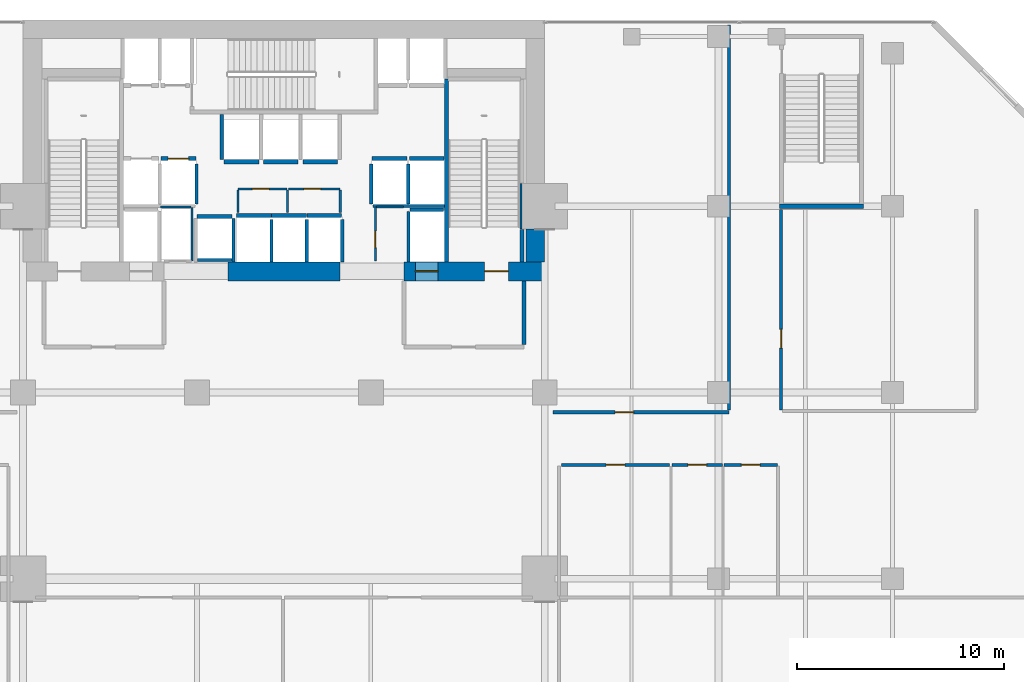
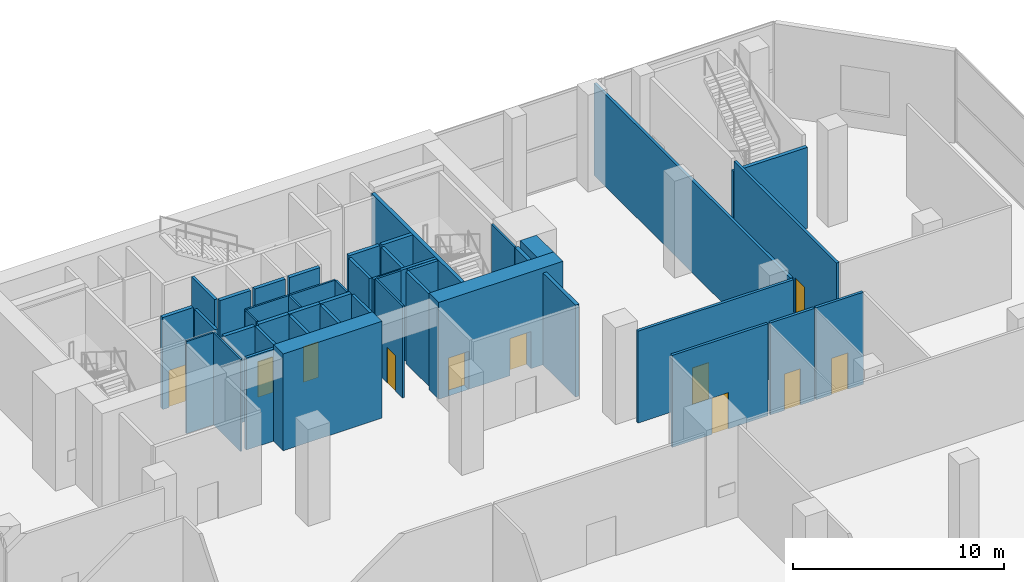
# One storey, part 36 of 40: 45 walls, 11 doors, 11 openings.
"""IFC4 building model written with IfcOpenShell, lengths in metres."""

from ifc_helpers import new_model, si_unit, direction, frame, frame_2d, origin, place, context, subcontext, project, spatial, rectangle, extrude, material, layer, layer_set, type_object, element, fill, save


model = new_model("IFC4")

# Units and contexts
model_context = context("Model", 3, precision=1e-05, world=origin(), true_north=direction((0.0, 1.0)))
body_context = subcontext(model_context, "Body", "Model", "MODEL_VIEW")
ifc_project = project(units=[si_unit("LENGTHUNIT", "METRE"), si_unit("AREAUNIT", "SQUARE_METRE"), si_unit("VOLUMEUNIT", "CUBIC_METRE"), si_unit("PLANEANGLEUNIT", "RADIAN"), si_unit("MASSUNIT", "GRAM", prefix="KILO")], contexts=[model_context])

# Site, building, storey
site_placement = place(None, origin())
site = spatial("IfcSite", under=ifc_project, at=site_placement, CompositionType="ELEMENT")
building_placement = place(site_placement, origin())
building = spatial("IfcBuilding", under=site, at=building_placement, Name="Maruvema Waterfront Hotel and Observation Tower", CompositionType="ELEMENT")
storey_placement = place(building_placement, frame((0.0, 0.0, 10.85009765625)))
storey = spatial("IfcBuildingStorey", under=building, at=storey_placement, Name="L02", CompositionType="ELEMENT", Elevation=10.85009765625)

# Wall, opening, door
ifc_material_1 = material(Name="Twin-stud acoustic gypsum drywall", Category="gypsum")
ifc_layer_1 = layer(ifc_material_1, 0.14990234375, Name="Acoustic Corridor and Suite Demising Wall 150 mm")
ifc_layer_set_1 = layer_set([ifc_layer_1], Name="Twin-stud acoustic gypsum drywall")
wall_type_1 = type_object("IfcWallType", Name="Acoustic Corridor and Suite Demising Wall 150 mm", PredefinedType="PARTITIONING", material=ifc_layer_set_1)
wall_1_placement = place(storey_placement, frame((51.199951171875, 32.5, 0.0), z_axis=(0.0, 0.0, 1.0), x_axis=(1.0, 0.0, 0.0)))
wall_1 = element("IfcWall", 1, at=wall_1_placement, inside=storey, type_object=wall_type_1, Name="L02 L02 Toilet Wall 029", PredefinedType="PARTITIONING", context=body_context, shape_type="SweptSolid", body=[
    extrude(rectangle(XDim=5.239990234375, YDim=0.14990234375, at=frame_2d((2.6201171875, 0.0))), origin(), (0.0, 0.0, 1.0), 5.31982421875),
])
opening_1_placement = place(wall_1_placement, frame((2.169921875, 0.0, 0.0)))
opening_1 = element("IfcOpeningElement", 2, at=opening_1_placement, cuts=wall_1, Name="Opening DR-090", PredefinedType="OPENING", context=body_context, shape_type="SweptSolid", body=[
    extrude(rectangle(XDim=0.89990234375, YDim=2.10009765625, at=frame_2d((0.449951171875, 1.050048828125))), frame((0.0, 0.0849609375, 0.0), z_axis=(0.0, -1.0, 0.0), x_axis=(1.0, 0.0, 0.0)), (0.0, 0.0, 1.0), 0.169921875),
])
ifc_material_2 = material(Name="Solid-core lacquered timber leaf", Category="wood")
door_type_1 = type_object("IfcDoorType", Name="Accessible Toilet and Room Door 900x2100 mm", OperationType="NOTDEFINED", PredefinedType="DOOR", material=ifc_material_2)
door_1_placement = place(opening_1_placement, origin())
door_1 = element("IfcDoor", 3, at=door_1_placement, inside=storey, type_object=door_type_1, Name="L02 Public Toilet Door", OperationType="SINGLE_SWING_LEFT", OverallHeight=2.10009765625, OverallWidth=0.89990234375, PredefinedType="DOOR", context=body_context, shape_type="SweptSolid", body=[
    extrude(rectangle(XDim=0.89990234375, YDim=2.10009765625, at=frame_2d((0.449951171875, 1.050048828125))), frame((0.0, 0.02490234375, 0.0), z_axis=(0.0, -1.0, 0.0), x_axis=(1.0, 0.0, 0.0)), (0.0, 0.0, 1.0), 0.050048828125),
])
fill(opening_1, door_1)

wall_2_placement = place(storey_placement, frame((56.56005859375, 32.5, 0.0), z_axis=(0.0, 0.0, 1.0), x_axis=(1.0, 0.0, 0.0)))
wall_2 = element("IfcWall", 4, at=wall_2_placement, inside=storey, type_object=wall_type_1, Name="L02 L02 Acc WC Wall 030", PredefinedType="PARTITIONING", context=body_context, shape_type="SweptSolid", body=[
    extrude(rectangle(XDim=2.419921875, YDim=0.14990234375, at=frame_2d((1.2099609375, 0.0))), origin(), (0.0, 0.0, 1.0), 5.31982421875),
])
opening_2_placement = place(wall_2_placement, frame((0.760009765625, 0.0, 0.0)))
opening_2 = element("IfcOpeningElement", 5, at=opening_2_placement, cuts=wall_2, Name="Opening DR-090", PredefinedType="OPENING", context=body_context, shape_type="SweptSolid", body=[
    extrude(rectangle(XDim=0.89990234375, YDim=2.10009765625, at=frame_2d((0.449951171875, 1.050048828125))), frame((0.0, 0.0849609375, 0.0), z_axis=(0.0, -1.0, 0.0), x_axis=(1.0, 0.0, 0.0)), (0.0, 0.0, 1.0), 0.169921875),
])
door_2_placement = place(opening_2_placement, origin())
door_2 = element("IfcDoor", 6, at=door_2_placement, inside=storey, type_object=door_type_1, Name="L02 Accessible WC Door", OperationType="SINGLE_SWING_RIGHT", OverallHeight=2.10009765625, OverallWidth=0.89990234375, PredefinedType="DOOR", context=body_context, shape_type="SweptSolid", body=[
    extrude(rectangle(XDim=0.89990234375, YDim=2.10009765625, at=frame_2d((0.449951171875, 1.050048828125))), frame((0.0, 0.02490234375, 0.0), z_axis=(0.0, -1.0, 0.0), x_axis=(1.0, 0.0, 0.0)), (0.0, 0.0, 1.0), 0.050048828125),
])
fill(opening_2, door_2)

wall_3_placement = place(storey_placement, frame((59.06005859375, 32.5, 0.0), z_axis=(0.0, 0.0, 1.0), x_axis=(1.0, 0.0, 0.0)))
wall_3 = element("IfcWall", 7, at=wall_3_placement, inside=storey, type_object=wall_type_1, Name="L02 L02 Linen Store Wall 031", PredefinedType="PARTITIONING", context=body_context, shape_type="SweptSolid", body=[
    extrude(rectangle(XDim=2.58984375, YDim=0.14990234375, at=frame_2d((1.294921875, 0.0))), origin(), (0.0, 0.0, 1.0), 5.31982421875),
])
opening_3_placement = place(wall_3_placement, frame((0.844970703125, 0.0, 0.0)))
opening_3 = element("IfcOpeningElement", 8, at=opening_3_placement, cuts=wall_3, Name="Opening DR-090", PredefinedType="OPENING", context=body_context, shape_type="SweptSolid", body=[
    extrude(rectangle(XDim=0.89990234375, YDim=2.10009765625, at=frame_2d((0.449951171875, 1.050048828125))), frame((0.0, 0.0849609375, 0.0), z_axis=(0.0, -1.0, 0.0), x_axis=(1.0, 0.0, 0.0)), (0.0, 0.0, 1.0), 0.169921875),
])
door_3_placement = place(opening_3_placement, origin())
door_3 = element("IfcDoor", 9, at=door_3_placement, inside=storey, type_object=door_type_1, Name="L02 Podium Linen Store Door", OperationType="SINGLE_SWING_LEFT", OverallHeight=2.10009765625, OverallWidth=0.89990234375, PredefinedType="DOOR", context=body_context, shape_type="SweptSolid", body=[
    extrude(rectangle(XDim=0.89990234375, YDim=2.10009765625, at=frame_2d((0.449951171875, 1.050048828125))), frame((0.0, 0.02490234375, 0.0), z_axis=(0.0, -1.0, 0.0), x_axis=(1.0, 0.0, 0.0)), (0.0, 0.0, 1.0), 0.050048828125),
])
fill(opening_3, door_3)

wall_4_placement = place(storey_placement, frame((50.800048828125, 35.050048828125, 0.0), z_axis=(0.0, 0.0, 1.0), x_axis=(1.0, 0.0, 0.0)))
wall_4 = element("IfcWall", 10, at=wall_4_placement, inside=storey, type_object=wall_type_1, Name="L02 L02 Lounge South Wall 038", PredefinedType="PARTITIONING", context=body_context, shape_type="SweptSolid", body=[
    extrude(rectangle(XDim=8.5, YDim=0.14990234375, at=frame_2d((4.25, 0.0))), origin(), (0.0, 0.0, 1.0), 5.31982421875),
])
opening_4_placement = place(wall_4_placement, frame((3.0, 0.0, 0.0)))
opening_4 = element("IfcOpeningElement", 11, at=opening_4_placement, cuts=wall_4, Name="Opening DR-090", PredefinedType="OPENING", context=body_context, shape_type="SweptSolid", body=[
    extrude(rectangle(XDim=0.89990234375, YDim=2.10009765625, at=frame_2d((0.449951171875, 1.050048828125))), frame((0.0, 0.0849609375, 0.0), z_axis=(0.0, -1.0, 0.0), x_axis=(1.0, 0.0, 0.0)), (0.0, 0.0, 1.0), 0.169921875),
])
door_4_placement = place(opening_4_placement, frame((0.89990234375, 0.0, 0.0), z_axis=(0.0, 0.0, 1.0), x_axis=(-1.0, 0.0, 0.0)))
door_4 = element("IfcDoor", 12, at=door_4_placement, inside=storey, type_object=door_type_1, Name="L02 Business Lounge Door", OperationType="SINGLE_SWING_RIGHT", OverallHeight=2.10009765625, OverallWidth=0.89990234375, PredefinedType="DOOR", context=body_context, shape_type="SweptSolid", body=[
    extrude(rectangle(XDim=0.89990234375, YDim=2.10009765625, at=frame_2d((0.449951171875, 1.050048828125))), frame((0.0, 0.02490234375, 0.0), z_axis=(0.0, -1.0, 0.0), x_axis=(1.0, 0.0, 0.0)), (0.0, 0.0, 1.0), 0.050048828125),
])
fill(opening_4, door_4)

# Wall
wall_5_placement = place(storey_placement, frame((59.300048828125, 35.14990234375, 0.0), z_axis=(0.0, 0.0, 1.0), x_axis=(0.0, 1.0, 0.0)))
element("IfcWall", 13, at=wall_5_placement, inside=storey, type_object=wall_type_1, Name="L02 L02 Lounge East Wall 039", PredefinedType="PARTITIONING", context=body_context, shape_type="SweptSolid", body=[
    extrude(rectangle(XDim=18.60009765625, YDim=0.14990234375, at=frame_2d((9.300048828125, 0.0))), origin(), (0.0, 0.0, 1.0), 5.31982421875),
])

# Wall, opening, door
wall_6_placement = place(storey_placement, frame((61.820068359375, 35.14990234375, 0.0), z_axis=(0.0, 0.0, 1.0), x_axis=(0.0, 1.0, 0.0)))
wall_6 = element("IfcWall", 14, at=wall_6_placement, inside=storey, type_object=wall_type_1, Name="L02 L02 AV Store Wall 040", PredefinedType="PARTITIONING", context=body_context, shape_type="SweptSolid", body=[
    extrude(rectangle(XDim=9.7001953125, YDim=0.14990234375, at=frame_2d((4.85009765625, 0.0))), origin(), (0.0, 0.0, 1.0), 5.31982421875),
])
opening_5_placement = place(wall_6_placement, frame((3.0, 0.0, 0.0)))
opening_5 = element("IfcOpeningElement", 15, at=opening_5_placement, cuts=wall_6, Name="Opening DR-090", PredefinedType="OPENING", context=body_context, shape_type="SweptSolid", body=[
    extrude(rectangle(XDim=0.89990234375, YDim=2.10009765625, at=frame_2d((0.449951171875, 1.050048828125))), frame((0.0, 0.0849609375, 0.0), z_axis=(0.0, -1.0, 0.0), x_axis=(1.0, 0.0, 0.0)), (0.0, 0.0, 1.0), 0.169921875),
])
door_5_placement = place(opening_5_placement, frame((0.89990234375, 0.0, 0.0), z_axis=(0.0, 0.0, 1.0), x_axis=(-1.0, 0.0, 0.0)))
door_5 = element("IfcDoor", 16, at=door_5_placement, inside=storey, type_object=door_type_1, Name="L02 AV Store Door", OperationType="SINGLE_SWING_LEFT", OverallHeight=2.10009765625, OverallWidth=0.89990234375, PredefinedType="DOOR", context=body_context, shape_type="SweptSolid", body=[
    extrude(rectangle(XDim=0.89990234375, YDim=2.10009765625, at=frame_2d((0.449951171875, 1.050048828125))), frame((0.0, 0.02490234375, 0.0), z_axis=(0.0, -1.0, 0.0), x_axis=(1.0, 0.0, 0.0)), (0.0, 0.0, 1.0), 0.050048828125),
])
fill(opening_5, door_5)

# Walls
ifc_material_3 = material(Name="Precast concrete C45/55", Category="concrete")
ifc_layer_2 = layer(ifc_material_3, 0.199951171875, Name="Core Shaft and Stairwell Enclosure Wall 200 mm")
ifc_layer_set_2 = layer_set([ifc_layer_2], Name="Precast concrete C45/55")
wall_type_2 = type_object("IfcWallType", Name="Core Shaft and Stairwell Enclosure Wall 200 mm", PredefinedType="SOLIDWALL", material=ifc_layer_set_2)
wall_7_placement = place(storey_placement, frame((45.64990234375, 42.300048828125, 0.0), z_axis=(0.0, 0.0, 1.0), x_axis=(0.0, 1.0, 0.0)))
element("IfcWall", 17, at=wall_7_placement, inside=storey, type_object=wall_type_2, Name="L02 Stairwell ST-03 West Shaft Wall", PredefinedType="SOLIDWALL", context=body_context, shape_type="SweptSolid", body=[
    extrude(rectangle(XDim=8.849853515625, YDim=0.199951171875, at=frame_2d((4.4248046875, 0.0))), origin(), (0.0, 0.0, 1.0), 5.31982421875),
])
wall_8_placement = place(storey_placement, frame((49.300048828125, 42.300048828125, 0.0), z_axis=(0.0, 0.0, 1.0), x_axis=(0.0, 1.0, 0.0)))
element("IfcWall", 18, at=wall_8_placement, inside=storey, type_object=wall_type_2, Name="L02 Stairwell ST-03 Shaft Lining Wall", PredefinedType="SOLIDWALL", context=body_context, shape_type="SweptSolid", body=[
    extrude(rectangle(XDim=1.579833984375, YDim=0.199951171875, at=frame_2d((0.7900390625, 0.0))), origin(), (0.0, 0.0, 1.0), 5.31982421875),
])
wall_9_placement = place(storey_placement, frame((61.75, 45.0, 0.0), z_axis=(0.0, 0.0, 1.0), x_axis=(1.0, 0.0, 0.0)))
element("IfcWall", 19, at=wall_9_placement, inside=storey, type_object=wall_type_2, Name="L02 Stairwell ST-05 Shaft Wall", PredefinedType="SOLIDWALL", context=body_context, shape_type="SweptSolid", body=[
    extrude(rectangle(XDim=4.050048828125, YDim=0.199951171875, at=frame_2d((2.02490234375, 0.0))), origin(), (0.0, 0.0, 1.0), 4.684814453125),
])

# Wall, opening, door
wall_10_placement = place(storey_placement, frame((31.860107421875, 47.300048828125, 0.0), z_axis=(0.0, 0.0, 1.0), x_axis=(1.0, 0.0, 0.0)))
wall_10 = element("IfcWall", 20, at=wall_10_placement, inside=storey, type_object=wall_type_2, Name="L02 Lift LF-02 Hoistway Front Wall", PredefinedType="SOLIDWALL", context=body_context, shape_type="SweptSolid", body=[
    extrude(rectangle(XDim=1.679931640625, YDim=0.199951171875, at=frame_2d((0.83984375, 0.0))), origin(), (0.0, 0.0, 1.0), 5.31982421875),
])
opening_6_placement = place(wall_10_placement, frame((0.340087890625, 0.0, 0.0)))
opening_6 = element("IfcOpeningElement", 21, at=opening_6_placement, cuts=wall_10, Name="Opening LD-01", PredefinedType="OPENING", context=body_context, shape_type="SweptSolid", body=[
    extrude(rectangle(XDim=1.0, YDim=2.14990234375, at=frame_2d((0.5, 1.074951171875))), frame((0.0, 0.10986328125, 0.0), z_axis=(0.0, -1.0, 0.0), x_axis=(1.0, 0.0, 0.0)), (0.0, 0.0, 1.0), 0.219970703125),
])
ifc_material_4 = material(Name="Brushed stainless steel Grade 316", Category="steel")
door_type_2 = type_object("IfcDoorType", Name="Passenger Lift Sliding Landing Door 1000x2150 mm", OperationType="SLIDING_TO_LEFT", PredefinedType="DOOR", material=ifc_material_4)
door_6_placement = place(opening_6_placement, origin())
door_6 = element("IfcDoor", 22, at=door_6_placement, inside=storey, type_object=door_type_2, Name="L02 Lift LF-02 Sliding Landing Door", OperationType="SLIDING_TO_LEFT", OverallHeight=2.14990234375, OverallWidth=1.0, PredefinedType="DOOR", context=body_context, shape_type="SweptSolid", body=[
    extrude(rectangle(XDim=1.0, YDim=2.14990234375, at=frame_2d((0.5, 1.074951171875))), frame((0.0, 0.02490234375, 0.0), z_axis=(0.0, -1.0, 0.0), x_axis=(1.0, 0.0, 0.0)), (0.0, 0.0, 1.0), 0.050048828125),
])
fill(opening_6, door_6)

# Walls
for number, where, z_axis, x_axis, name in (
    (23, (42.06005859375, 47.300048828125, 0.0), (0.0, 0.0, 1.0), (1.0, 0.0, 0.0), "L02 Lift LF-05 Hoistway Front Wall"),
    (24, (43.860107421875, 47.300048828125, 0.0), (0.0, 0.0, 1.0), (1.0, 0.0, 0.0), "L02 Lift LF-06 Hoistway Front Wall"),
    (25, (35.510009765625, 44.550048828125, 0.0), (0.0, 0.0, 1.0), (1.0, 0.0, 0.0), "L02 Lift LF-09 Hoistway Front Wall"),
    (26, (37.2099609375, 44.550048828125, 0.0), (0.0, 0.0, 1.0), (1.0, 0.0, 0.0), "L02 Lift LF-10 Hoistway Front Wall"),
):
    element("IfcWall", number, at=place(storey_placement, frame(where, z_axis=z_axis, x_axis=x_axis)), inside=storey, type_object=wall_type_2, Name=name, PredefinedType="SOLIDWALL", context=body_context, shape_type="SweptSolid", body=[
        extrude(rectangle(XDim=1.679931640625, YDim=0.199951171875, at=frame_2d((0.83984375, 0.0))), origin(), (0.0, 0.0, 1.0), 5.31982421875),
    ])
for number, where, z_axis, x_axis, name in (
    (27, (38.909912109375, 44.550048828125, 0.0), (0.0, 0.0, 1.0), (1.0, 0.0, 0.0), "L02 Lift LF-11 Hoistway Front Wall"),
    (28, (34.909912109375, 47.14990234375, 0.0), (0.0, 0.0, 1.0), (1.0, 0.0, 0.0), "L02 Lift LF-12 Hoistway Front Wall"),
):
    element("IfcWall", number, at=place(storey_placement, frame(where, z_axis=z_axis, x_axis=x_axis)), inside=storey, type_object=wall_type_2, Name=name, PredefinedType="SOLIDWALL", context=body_context, shape_type="SweptSolid", body=[
        extrude(rectangle(XDim=1.68017578125, YDim=0.199951171875, at=frame_2d((0.840087890625, 0.0))), origin(), (0.0, 0.0, 1.0), 5.31982421875),
    ])
for number, where, z_axis, x_axis, name in (
    (29, (36.81005859375, 47.14990234375, 0.0), (0.0, 0.0, 1.0), (1.0, 0.0, 0.0), "L02 Lift LF-13 Hoistway Front Wall"),
    (30, (38.7099609375, 47.14990234375, 0.0), (0.0, 0.0, 1.0), (1.0, 0.0, 0.0), "L02 Lift LF-14 Hoistway Front Wall"),
    (31, (33.610107421875, 44.5, 0.0), (0.0, 0.0, 1.0), (1.0, 0.0, 0.0), "L02 Lift LF-15 Hoistway Front Wall"),
):
    element("IfcWall", number, at=place(storey_placement, frame(where, z_axis=z_axis, x_axis=x_axis)), inside=storey, type_object=wall_type_2, Name=name, PredefinedType="SOLIDWALL", context=body_context, shape_type="SweptSolid", body=[
        extrude(rectangle(XDim=1.679931640625, YDim=0.199951171875, at=frame_2d((0.83984375, 0.0))), origin(), (0.0, 0.0, 1.0), 5.31982421875),
    ])
ifc_material_5 = material(Name="Concrete C80/95", Category="concrete")
ifc_layer_3 = layer(ifc_material_5, 0.89990234375, Name="Core Shear Wall 900 mm")
ifc_layer_set_3 = layer_set([ifc_layer_3], Name="Concrete C80/95")
wall_type_3 = type_object("IfcWallType", Name="Core Shear Wall 900 mm", PredefinedType="SHEAR", material=ifc_layer_set_3)
wall_11_placement = place(storey_placement, frame((35.10009765625, 41.85009765625, 0.0), z_axis=(0.0, 0.0, 1.0), x_axis=(1.0, 0.0, 0.0)))
element("IfcWall", 32, at=wall_11_placement, inside=storey, type_object=wall_type_3, Name="L02 South-Central Core Shear Wall", PredefinedType="SHEAR", context=body_context, shape_type="SweptSolid", body=[
    extrude(rectangle(XDim=5.39990234375, YDim=0.89990234375, at=frame_2d((2.699951171875, 0.0))), origin(), (0.0, 0.0, 1.0), 5.599853515625),
])

# Wall, openings, doors
wall_12_placement = place(storey_placement, frame((43.60009765625, 41.85009765625, 0.0), z_axis=(0.0, 0.0, 1.0), x_axis=(1.0, 0.0, 0.0)))
wall_12 = element("IfcWall", 33, at=wall_12_placement, inside=storey, type_object=wall_type_3, Name="L02 South-East Core Shear Wall", PredefinedType="SHEAR", context=body_context, shape_type="SweptSolid", body=[
    extrude(rectangle(XDim=6.7998046875, YDim=0.89990234375, at=frame_2d((3.39990234375, 0.0))), origin(), (0.0, 0.0, 1.0), 5.599853515625),
])
opening_7_placement = place(wall_12_placement, frame((3.89990234375, 0.0, 0.0)))
opening_7 = element("IfcOpeningElement", 34, at=opening_7_placement, cuts=wall_12, Name="Opening SD-01", PredefinedType="OPENING", context=body_context, shape_type="SweptSolid", body=[
    extrude(rectangle(XDim=1.14990234375, YDim=2.14990234375, at=frame_2d((0.574951171875, 1.074951171875))), frame((0.0, 0.4599609375, 0.0), z_axis=(0.0, -1.0, 0.0), x_axis=(1.0, 0.0, 0.0)), (0.0, 0.0, 1.0), 0.919921875),
])
opening_8_placement = place(wall_12_placement, frame((0.550048828125, 0.0, 0.0)))
opening_8 = element("IfcOpeningElement", 35, at=opening_8_placement, cuts=wall_12, Name="Opening LD-03", PredefinedType="OPENING", context=body_context, shape_type="SweptSolid", body=[
    extrude(rectangle(XDim=1.10009765625, YDim=2.199951171875, at=frame_2d((0.550048828125, 1.10009765625))), frame((0.0, 0.4599609375, 0.0), z_axis=(0.0, -1.0, 0.0), x_axis=(1.0, 0.0, 0.0)), (0.0, 0.0, 1.0), 0.919921875),
])
ifc_material_6 = material(Name="Fire-rated galvanised steel leaf", Category="steel")
door_type_3 = type_object("IfcDoorType", Name="Exit Stair Fire Door 1150x2150 mm", OperationType="NOTDEFINED", PredefinedType="DOOR", material=ifc_material_6)
door_7_placement = place(opening_7_placement, origin())
door_7 = element("IfcDoor", 36, at=door_7_placement, inside=storey, type_object=door_type_3, Name="L02 Exit Stair ST-03 Fire Door", OperationType="SINGLE_SWING_RIGHT", OverallHeight=2.14990234375, OverallWidth=1.14990234375, PredefinedType="DOOR", context=body_context, shape_type="SweptSolid", body=[
    extrude(rectangle(XDim=1.14990234375, YDim=2.14990234375, at=frame_2d((0.574951171875, 1.074951171875))), frame((0.0, 0.02490234375, 0.0), z_axis=(0.0, -1.0, 0.0), x_axis=(1.0, 0.0, 0.0)), (0.0, 0.0, 1.0), 0.050048828125),
])
fill(opening_7, door_7)
ifc_material_7 = material(Name="Brushed stainless steel Grade 316", Category="steel")
door_type_4 = type_object("IfcDoorType", Name="Firefighting Lift Sliding Landing Door 1100x2200 mm", OperationType="SLIDING_TO_LEFT", PredefinedType="DOOR", material=ifc_material_7)
door_8_placement = place(opening_8_placement, frame((1.10009765625, 0.0, 0.0), z_axis=(0.0, 0.0, 1.0), x_axis=(-1.0, 0.0, 0.0)))
door_8 = element("IfcDoor", 37, at=door_8_placement, inside=storey, type_object=door_type_4, Name="L02 Firefighting Lift FL-02 Landing Door", OperationType="SLIDING_TO_LEFT", OverallHeight=2.199951171875, OverallWidth=1.10009765625, PredefinedType="DOOR", context=body_context, shape_type="SweptSolid", body=[
    extrude(rectangle(XDim=1.10009765625, YDim=2.199951171875, at=frame_2d((0.550048828125, 1.10009765625))), frame((0.0, 0.02490234375, 0.0), z_axis=(0.0, -1.0, 0.0), x_axis=(1.0, 0.0, 0.0)), (0.0, 0.0, 1.0), 0.050048828125),
])
fill(opening_8, door_8)

# Walls
wall_13_placement = place(storey_placement, frame((49.949951171875, 42.300048828125, 0.0), z_axis=(0.0, 0.0, 1.0), x_axis=(0.0, 1.0, 0.0)))
element("IfcWall", 38, at=wall_13_placement, inside=storey, type_object=wall_type_3, Name="L02 East-South Core Shear Wall", PredefinedType="SHEAR", context=body_context, shape_type="SweptSolid", body=[
    extrude(rectangle(XDim=1.599853515625, YDim=0.89990234375, at=frame_2d((0.7998046875, 0.0))), origin(), (0.0, 0.0, 1.0), 5.599853515625),
])
ifc_material_8 = material(Name="Moisture-resistant cement-board drywall", Category="gypsum")
ifc_layer_4 = layer(ifc_material_8, 0.10009765625, Name="En-Suite Moisture-Resistant Partition 100 mm")
ifc_layer_set_4 = layer_set([ifc_layer_4], Name="Moisture-resistant cement-board drywall")
wall_type_4 = type_object("IfcWallType", Name="En-Suite Moisture-Resistant Partition 100 mm", PredefinedType="PARTITIONING", material=ifc_layer_set_4)
wall_14_placement = place(storey_placement, frame((31.840087890625, 44.9599609375, 0.0), z_axis=(0.0, 0.0, 1.0), x_axis=(1.0, 0.0, 0.0)))
element("IfcWall", 39, at=wall_14_placement, inside=storey, type_object=wall_type_4, Name="L02 Telecom Riser North Wall 008", PredefinedType="PARTITIONING", context=body_context, shape_type="SweptSolid", body=[
    extrude(rectangle(XDim=1.47998046875, YDim=0.10009765625, at=frame_2d((0.739990234375, 0.0))), origin(), (0.0, 0.0, 1.0), 5.31982421875),
])
wall_15_placement = place(storey_placement, frame((33.360107421875, 42.360107421875, 0.0), z_axis=(0.0, 0.0, 1.0), x_axis=(0.0, 1.0, 0.0)))
element("IfcWall", 40, at=wall_15_placement, inside=storey, type_object=wall_type_4, Name="L02 Telecom Riser East Wall 009", PredefinedType="PARTITIONING", context=body_context, shape_type="SweptSolid", body=[
    extrude(rectangle(XDim=2.579833984375, YDim=0.10009765625, at=frame_2d((1.2900390625, 0.0))), origin(), (0.0, 0.0, 1.0), 5.31982421875),
])

# Wall, opening, door
wall_16_placement = place(storey_placement, frame((35.580078125, 45.840087890625, 0.0), z_axis=(0.0, 0.0, 1.0), x_axis=(1.0, 0.0, 0.0)))
wall_16 = element("IfcWall", 41, at=wall_16_placement, inside=storey, type_object=wall_type_4, Name="L02 Core Closet K2A North 010", PredefinedType="PARTITIONING", context=body_context, shape_type="SweptSolid", body=[
    extrude(rectangle(XDim=2.35986328125, YDim=0.10009765625, at=frame_2d((1.179931640625, 0.0))), origin(), (0.0, 0.0, 1.0), 5.31982421875),
])
opening_9_placement = place(wall_16_placement, frame((0.699951171875, 0.0, 0.0)))
opening_9 = element("IfcOpeningElement", 42, at=opening_9_placement, cuts=wall_16, Name="Opening DR-080", PredefinedType="OPENING", context=body_context, shape_type="SweptSolid", body=[
    extrude(rectangle(XDim=0.800048828125, YDim=2.050048828125, at=frame_2d((0.39990234375, 1.02490234375))), frame((0.0, 0.06005859375, 0.0), z_axis=(0.0, -1.0, 0.0), x_axis=(1.0, 0.0, 0.0)), (0.0, 0.0, 1.0), 0.1201171875),
])
ifc_material_9 = material(Name="Powder-coated steel access leaf", Category="steel")
door_type_5 = type_object("IfcDoorType", Name="Riser and Service Cupboard Door 800x2050 mm", OperationType="NOTDEFINED", PredefinedType="DOOR", material=ifc_material_9)
door_9_placement = place(opening_9_placement, origin())
door_9 = element("IfcDoor", 43, at=door_9_placement, inside=storey, type_object=door_type_5, Name="L02 Core IT Closet Door", OperationType="SINGLE_SWING_LEFT", OverallHeight=2.050048828125, OverallWidth=0.800048828125, PredefinedType="DOOR", context=body_context, shape_type="SweptSolid", body=[
    extrude(rectangle(XDim=0.800048828125, YDim=2.050048828125, at=frame_2d((0.39990234375, 1.02490234375))), frame((0.0, 0.02490234375, 0.0), z_axis=(0.0, -1.0, 0.0), x_axis=(1.0, 0.0, 0.0)), (0.0, 0.0, 1.0), 0.050048828125),
])
fill(opening_9, door_9)

wall_17_placement = place(storey_placement, frame((38.02001953125, 45.840087890625, 0.0), z_axis=(0.0, 0.0, 1.0), x_axis=(1.0, 0.0, 0.0)))
wall_17 = element("IfcWall", 44, at=wall_17_placement, inside=storey, type_object=wall_type_4, Name="L02 Core Closet K2B North 011", PredefinedType="PARTITIONING", context=body_context, shape_type="SweptSolid", body=[
    extrude(rectangle(XDim=2.5, YDim=0.10009765625, at=frame_2d((1.25, 0.0))), origin(), (0.0, 0.0, 1.0), 5.31982421875),
])
opening_10_placement = place(wall_17_placement, frame((0.75, 0.0, 0.0)))
opening_10 = element("IfcOpeningElement", 45, at=opening_10_placement, cuts=wall_17, Name="Opening DR-080", PredefinedType="OPENING", context=body_context, shape_type="SweptSolid", body=[
    extrude(rectangle(XDim=0.800048828125, YDim=2.050048828125, at=frame_2d((0.39990234375, 1.02490234375))), frame((0.0, 0.06005859375, 0.0), z_axis=(0.0, -1.0, 0.0), x_axis=(1.0, 0.0, 0.0)), (0.0, 0.0, 1.0), 0.1201171875),
])
door_10_placement = place(opening_10_placement, origin())
door_10 = element("IfcDoor", 46, at=door_10_placement, inside=storey, type_object=door_type_5, Name="L02 Core Linen Cupboard Door", OperationType="SINGLE_SWING_RIGHT", OverallHeight=2.050048828125, OverallWidth=0.800048828125, PredefinedType="DOOR", context=body_context, shape_type="SweptSolid", body=[
    extrude(rectangle(XDim=0.800048828125, YDim=2.050048828125, at=frame_2d((0.39990234375, 1.02490234375))), frame((0.0, 0.02490234375, 0.0), z_axis=(0.0, -1.0, 0.0), x_axis=(1.0, 0.0, 0.0)), (0.0, 0.0, 1.0), 0.050048828125),
])
fill(opening_10, door_10)

# Walls
for number, where, z_axis, x_axis, name in (
    (47, (35.580078125, 44.699951171875, 0.0), (0.0, 0.0, 1.0), (0.0, 1.0, 0.0), "L02 Core Closet K2 West 012"),
    (48, (37.97998046875, 44.699951171875, 0.0), (0.0, 0.0, 1.0), (0.0, 1.0, 0.0), "L02 Core Closet K2 Mid 013"),
    (49, (40.52001953125, 44.699951171875, 0.0), (0.0, 0.0, 1.0), (0.0, 1.0, 0.0), "L02 Core Closet K2 East 014"),
):
    element("IfcWall", number, at=place(storey_placement, frame(where, z_axis=z_axis, x_axis=x_axis)), inside=storey, type_object=wall_type_4, Name=name, PredefinedType="PARTITIONING", context=body_context, shape_type="SweptSolid", body=[
        extrude(rectangle(XDim=1.080078125, YDim=0.10009765625, at=frame_2d((0.5400390625, 0.0))), origin(), (0.0, 0.0, 1.0), 5.31982421875),
    ])

# Wall, opening, door
wall_18_placement = place(storey_placement, frame((42.219970703125, 42.35009765625, 0.0), z_axis=(0.0, 0.0, 1.0), x_axis=(0.0, 1.0, 0.0)))
wall_18 = element("IfcWall", 50, at=wall_18_placement, inside=storey, type_object=wall_type_4, Name="L02 Core Closet K2C West 015", PredefinedType="PARTITIONING", context=body_context, shape_type="SweptSolid", body=[
    extrude(rectangle(XDim=2.60986328125, YDim=0.10009765625, at=frame_2d((1.304931640625, 0.0))), origin(), (0.0, 0.0, 1.0), 5.31982421875),
])
opening_11_placement = place(wall_18_placement, frame((0.64990234375, 0.0, 0.0)))
opening_11 = element("IfcOpeningElement", 51, at=opening_11_placement, cuts=wall_18, Name="Opening DR-080", PredefinedType="OPENING", context=body_context, shape_type="SweptSolid", body=[
    extrude(rectangle(XDim=0.800048828125, YDim=2.050048828125, at=frame_2d((0.39990234375, 1.02490234375))), frame((0.0, 0.06005859375, 0.0), z_axis=(0.0, -1.0, 0.0), x_axis=(1.0, 0.0, 0.0)), (0.0, 0.0, 1.0), 0.1201171875),
])
door_11_placement = place(opening_11_placement, frame((0.800048828125, 0.0, 0.0), z_axis=(0.0, 0.0, 1.0), x_axis=(-1.0, 0.0, 0.0)))
door_11 = element("IfcDoor", 52, at=door_11_placement, inside=storey, type_object=door_type_5, Name="L02 Core Housekeeping Closet Door", OperationType="SINGLE_SWING_LEFT", OverallHeight=2.050048828125, OverallWidth=0.800048828125, PredefinedType="DOOR", context=body_context, shape_type="SweptSolid", body=[
    extrude(rectangle(XDim=0.800048828125, YDim=2.050048828125, at=frame_2d((0.39990234375, 1.02490234375))), frame((0.0, 0.02490234375, 0.0), z_axis=(0.0, -1.0, 0.0), x_axis=(1.0, 0.0, 0.0)), (0.0, 0.0, 1.0), 0.050048828125),
])
fill(opening_11, door_11)

# Walls
wall_19_placement = place(storey_placement, frame((42.280029296875, 44.9599609375, 0.0), z_axis=(0.0, 0.0, 1.0), x_axis=(1.0, 0.0, 0.0)))
element("IfcWall", 53, at=wall_19_placement, inside=storey, type_object=wall_type_4, Name="L02 Core Closet K2C North 016", PredefinedType="PARTITIONING", context=body_context, shape_type="SweptSolid", body=[
    extrude(rectangle(XDim=1.300048828125, YDim=0.10009765625, at=frame_2d((0.64990234375, 0.0))), origin(), (0.0, 0.0, 1.0), 5.31982421875),
])
ifc_material_10 = material(Name="Autoclaved cellular concrete blockwork", Category="masonry")
ifc_layer_5 = layer(ifc_material_10, 0.199951171875, Name="Fire Compartment Masonry Wall 200 mm")
ifc_layer_set_5 = layer_set([ifc_layer_5], Name="Autoclaved cellular concrete blockwork")
wall_type_5 = type_object("IfcWallType", Name="Fire Compartment Masonry Wall 200 mm", PredefinedType="PARTITIONING", material=ifc_layer_set_5)
wall_20_placement = place(storey_placement, frame((49.39990234375, 38.31005859375, 0.0), z_axis=(0.0, 0.0, 1.0), x_axis=(0.0, 1.0, 0.0)))
element("IfcWall", 54, at=wall_20_placement, inside=storey, type_object=wall_type_5, Name="L02 FFL East East Wall 006", PredefinedType="PARTITIONING", context=body_context, shape_type="SweptSolid", body=[
    extrude(rectangle(XDim=3.06982421875, YDim=0.199951171875, at=frame_2d((1.534912109375, 0.0))), origin(), (0.0, 0.0, 1.0), 5.31982421875),
])
ifc_material_11 = material(Name="Precast concrete C45/55", Category="concrete")
ifc_layer_6 = layer(ifc_material_11, 0.159912109375, Name="Lift Hoistway Divider Wall 160 mm")
ifc_layer_set_6 = layer_set([ifc_layer_6], Name="Precast concrete C45/55")
wall_type_6 = type_object("IfcWallType", Name="Lift Hoistway Divider Wall 160 mm", PredefinedType="SOLIDWALL", material=ifc_layer_set_6)
wall_21_placement = place(storey_placement, frame((43.89990234375, 44.830078125, 0.0), z_axis=(0.0, 0.0, 1.0), x_axis=(1.0, 0.0, 0.0)))
element("IfcWall", 55, at=wall_21_placement, inside=storey, type_object=wall_type_6, Name="L02 Lift FL-02 Rear Hoistway Wall", PredefinedType="SOLIDWALL", context=body_context, shape_type="SweptSolid", body=[
    extrude(rectangle(XDim=1.60009765625, YDim=0.159912109375, at=frame_2d((0.800048828125, 0.0))), origin(), (0.0, 0.0, 1.0), 5.31982421875),
])
wall_22_placement = place(storey_placement, frame((43.820068359375, 42.300048828125, 0.0), z_axis=(0.0, 0.0, 1.0), x_axis=(0.0, 1.0, 0.0)))
element("IfcWall", 56, at=wall_22_placement, inside=storey, type_object=wall_type_6, Name="L02 Lift FL-02 Inner Hoistway Wall", PredefinedType="SOLIDWALL", context=body_context, shape_type="SweptSolid", body=[
    extrude(rectangle(XDim=2.43994140625, YDim=0.159912109375, at=frame_2d((1.219970703125, 0.0))), origin(), (0.0, 0.0, 1.0), 5.31982421875),
])
for number, where, z_axis, x_axis, name in (
    (57, (33.580078125, 45.10009765625, 0.0), (0.0, 0.0, 1.0), (0.0, 1.0, 0.0), "L02 Hoistway Divider Wall"),
    (58, (42.02001953125, 45.10009765625, 0.0), (0.0, 0.0, 1.0), (0.0, 1.0, 0.0), "L02 Hoistway Divider Wall"),
    (59, (43.800048828125, 45.10009765625, 0.0), (0.0, 0.0, 1.0), (0.0, 1.0, 0.0), "L02 Hoistway Divider Wall"),
):
    element("IfcWall", number, at=place(storey_placement, frame(where, z_axis=z_axis, x_axis=x_axis)), inside=storey, type_object=wall_type_6, Name=name, PredefinedType="SOLIDWALL", context=body_context, shape_type="SweptSolid", body=[
        extrude(rectangle(XDim=1.949951171875, YDim=0.159912109375, at=frame_2d((0.97509765625, 0.0))), origin(), (0.0, 0.0, 1.0), 5.31982421875),
    ])
wall_23_placement = place(storey_placement, frame((42.10009765625, 45.010009765625, 0.0), z_axis=(0.0, 0.0, 1.0), x_axis=(1.0, 0.0, 0.0)))
element("IfcWall", 60, at=wall_23_placement, inside=storey, type_object=wall_type_6, Name="L02 Hoistway Divider Wall", PredefinedType="SOLIDWALL", context=body_context, shape_type="SweptSolid", body=[
    extrude(rectangle(XDim=3.449951171875, YDim=0.159912109375, at=frame_2d((1.72509765625, 0.0))), origin(), (0.0, 0.0, 1.0), 5.31982421875),
])
for number, where, z_axis, x_axis, name in (
    (61, (37.199951171875, 42.300048828125, 0.0), (0.0, 0.0, 1.0), (0.0, 1.0, 0.0), "L02 Hoistway Divider Wall"),
    (62, (38.89990234375, 42.300048828125, 0.0), (0.0, 0.0, 1.0), (0.0, 1.0, 0.0), "L02 Hoistway Divider Wall"),
    (63, (40.6201171875, 42.300048828125, 0.0), (0.0, 0.0, 1.0), (0.0, 1.0, 0.0), "L02 Hoistway Divider Wall"),
):
    element("IfcWall", number, at=place(storey_placement, frame(where, z_axis=z_axis, x_axis=x_axis)), inside=storey, type_object=wall_type_6, Name=name, PredefinedType="SOLIDWALL", context=body_context, shape_type="SweptSolid", body=[
        extrude(rectangle(XDim=2.050048828125, YDim=0.159912109375, at=frame_2d((1.02490234375, 0.0))), origin(), (0.0, 0.0, 1.0), 5.31982421875),
    ])
wall_24_placement = place(storey_placement, frame((34.800048828125, 47.25, 0.0), z_axis=(0.0, 0.0, 1.0), x_axis=(0.0, 1.0, 0.0)))
element("IfcWall", 64, at=wall_24_placement, inside=storey, type_object=wall_type_6, Name="L02 Hoistway Divider Wall", PredefinedType="SOLIDWALL", context=body_context, shape_type="SweptSolid", body=[
    extrude(rectangle(XDim=2.18994140625, YDim=0.159912109375, at=frame_2d((1.094970703125, 0.0))), origin(), (0.0, 0.0, 1.0), 5.31982421875),
])
wall_25_placement = place(storey_placement, frame((35.360107421875, 42.300048828125, 0.0), z_axis=(0.0, 0.0, 1.0), x_axis=(0.0, 1.0, 0.0)))
element("IfcWall", 65, at=wall_25_placement, inside=storey, type_object=wall_type_6, Name="L02 Hoistway Divider Wall", PredefinedType="SOLIDWALL", context=body_context, shape_type="SweptSolid", body=[
    extrude(rectangle(XDim=2.099853515625, YDim=0.159912109375, at=frame_2d((1.0498046875, 0.0))), origin(), (0.0, 0.0, 1.0), 5.31982421875),
])
wall_26_placement = place(storey_placement, frame((33.6201171875, 42.39990234375, 0.0), z_axis=(0.0, 0.0, 1.0), x_axis=(1.0, 0.0, 0.0)))
element("IfcWall", 66, at=wall_26_placement, inside=storey, type_object=wall_type_6, Name="L02 Hoistway Divider Wall", PredefinedType="SOLIDWALL", context=body_context, shape_type="SweptSolid", body=[
    extrude(rectangle(XDim=1.659912109375, YDim=0.159912109375, at=frame_2d((0.830078125, 0.0))), origin(), (0.0, 0.0, 1.0), 5.31982421875),
])
ifc_material_12 = material(Name="Precast concrete C45/55", Category="concrete")
ifc_layer_7 = layer(ifc_material_12, 0.10009765625, Name="Stairwell Stringer Cheek Wall 100 mm")
ifc_layer_set_7 = layer_set([ifc_layer_7], Name="Precast concrete C45/55")
wall_type_7 = type_object("IfcWallType", Name="Stairwell Stringer Cheek Wall 100 mm", PredefinedType="SOLIDWALL", material=ifc_layer_set_7)
wall_27_placement = place(storey_placement, frame((49.248046875, 43.89990234375, 0.0), z_axis=(0.0, 0.0, 1.0), x_axis=(0.0, 1.0, 0.0)))
element("IfcWall", 67, at=wall_27_placement, inside=storey, type_object=wall_type_7, Name="L02 Stairwell ST-03 Mega-Column Cheek Wall", PredefinedType="SOLIDWALL", context=body_context, shape_type="SweptSolid", body=[
    extrude(rectangle(XDim=2.2001953125, YDim=0.10009765625, at=frame_2d((1.10009765625, 0.0))), origin(), (0.0, 0.0, 1.0), 5.31982421875),
])

save(model, "model.ifc")
